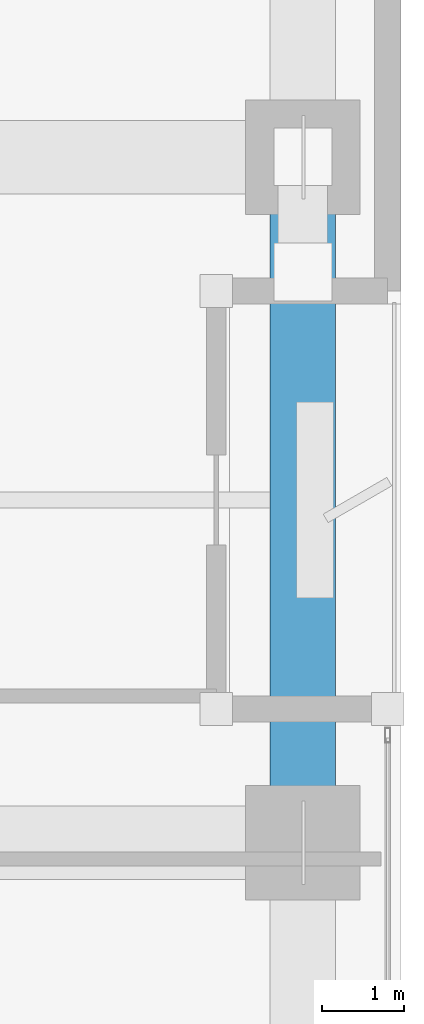
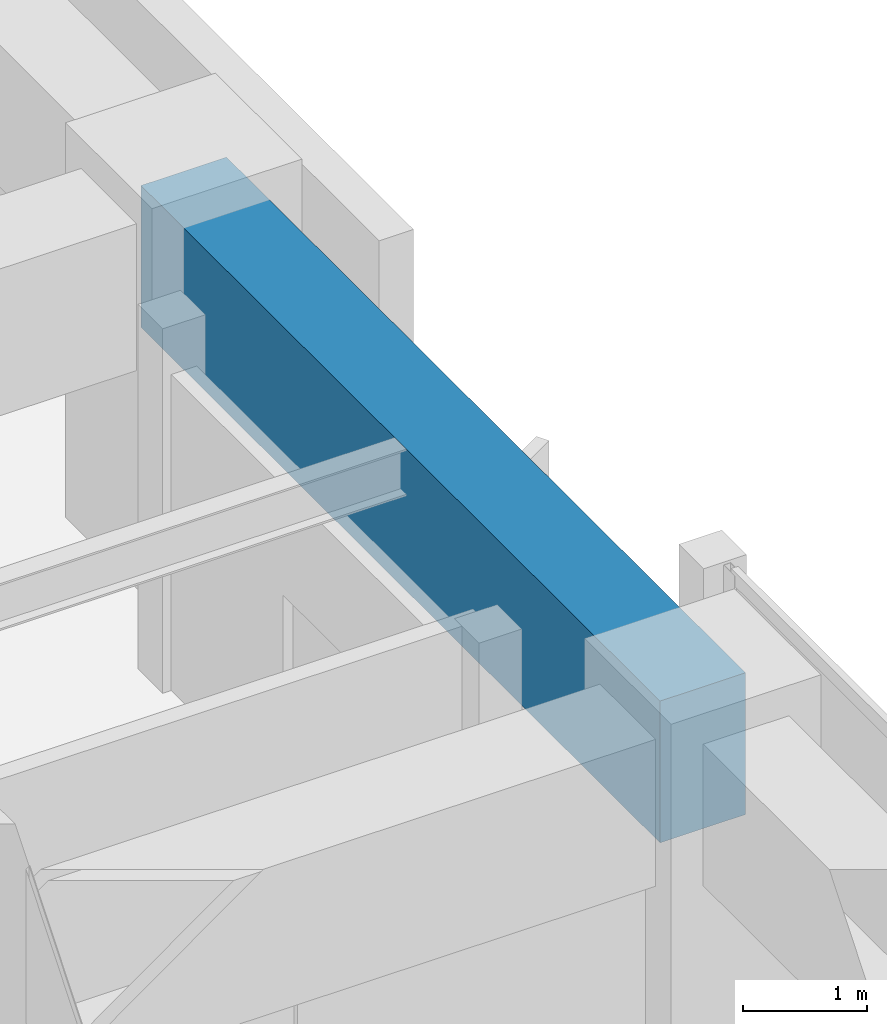
# One storey, part 7 of 25: 1 beam.
"""IFC4 building model written with IfcOpenShell, lengths in metres."""

from ifc_helpers import new_model, si_unit, direction, frame, origin, origin_2d, place, context, subcontext, project, spatial, rectangle, extrude, material, material_profile, profile_set, type_object, element, save


model = new_model("IFC4")

# Units and contexts
model_context = context("Model", 3, precision=1e-05, world=origin(), true_north=direction((0.0, 1.0)))
body_context = subcontext(model_context, "Body", "Model", "MODEL_VIEW")
ifc_project = project(units=[si_unit("LENGTHUNIT", "METRE"), si_unit("AREAUNIT", "SQUARE_METRE"), si_unit("VOLUMEUNIT", "CUBIC_METRE"), si_unit("PLANEANGLEUNIT", "RADIAN"), si_unit("MASSUNIT", "GRAM", prefix="KILO")], contexts=[model_context])

# Site, building, storey
site_placement = place(None, origin())
site = spatial("IfcSite", under=ifc_project, at=site_placement, CompositionType="ELEMENT")
building_placement = place(site_placement, origin())
building = spatial("IfcBuilding", under=site, at=building_placement, Name="Kiyonajd Concourse Tower", CompositionType="ELEMENT")
storey_placement = place(building_placement, frame((0.0, 0.0, 141.60009765625)))
storey = spatial("IfcBuildingStorey", under=building, at=storey_placement, Name="L36", CompositionType="ELEMENT", Elevation=141.60009765625)

# Beam
ifc_material = material(Name="Concrete C60/75", Category="concrete")
ifc_material_profile = material_profile(ifc_material, rectangle(XDim=0.800048828125, YDim=1.39990234375, at=origin_2d()), Name="RCBM-800x1400")
ifc_profile_set = profile_set([ifc_material_profile], Name="Concrete C60/75")
beam_type = type_object("IfcBeamType", Name="BM-XFER-RC", PredefinedType="BEAM", material=ifc_profile_set)
beam_placement = place(storey_placement, frame((69.60009765625, 36.0, 2.89990234375), z_axis=(0.0, 1.0, 0.0), x_axis=(-1.0, 0.0, 0.0)))
element("IfcBeam", 1, at=beam_placement, inside=storey, type_object=beam_type, Name="L36 Perimeter Bundled Tube Spandrel", PredefinedType="BEAM", context=body_context, shape_type="SweptSolid", body=[
    extrude(rectangle(XDim=0.800048828125, YDim=1.39990234375, at=origin_2d()), origin(), (0.0, 0.0, 1.0), 8.39990234375),
])

save(model, "model.ifc")
